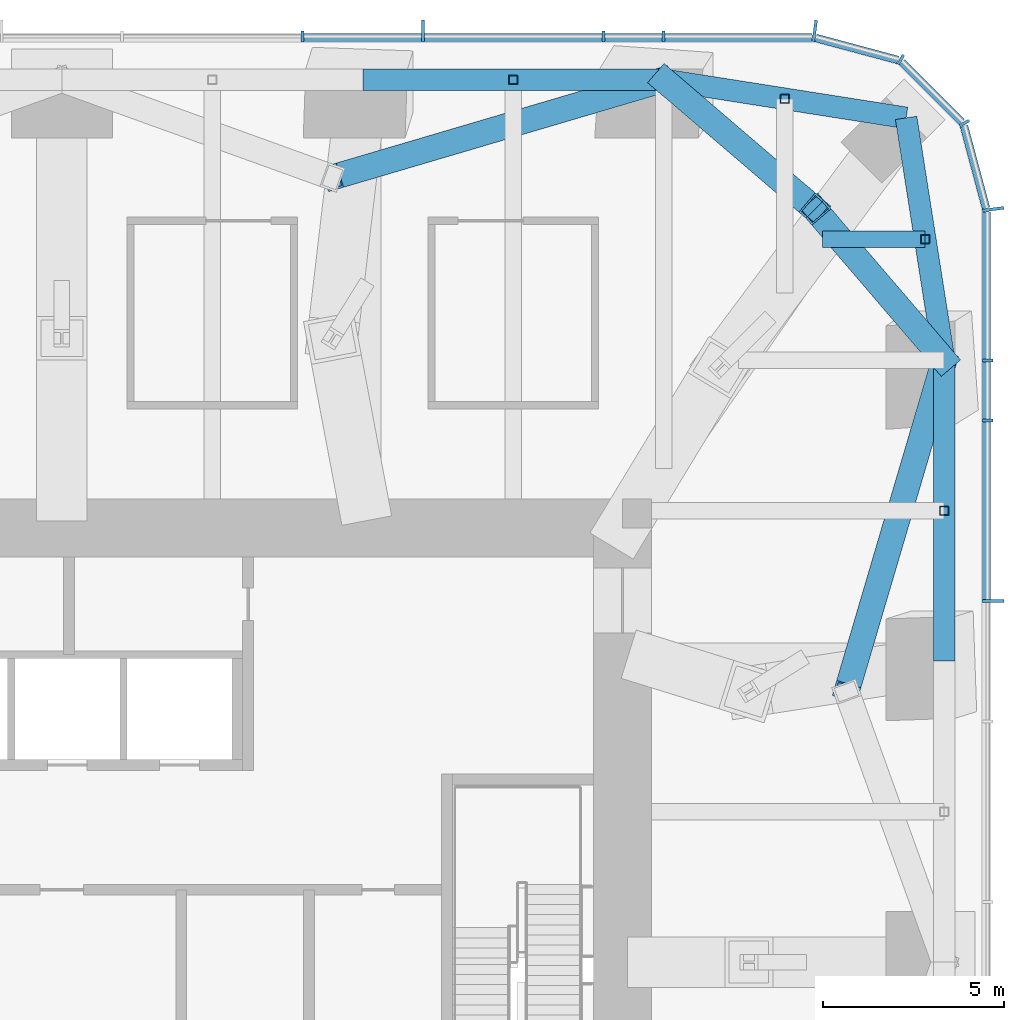
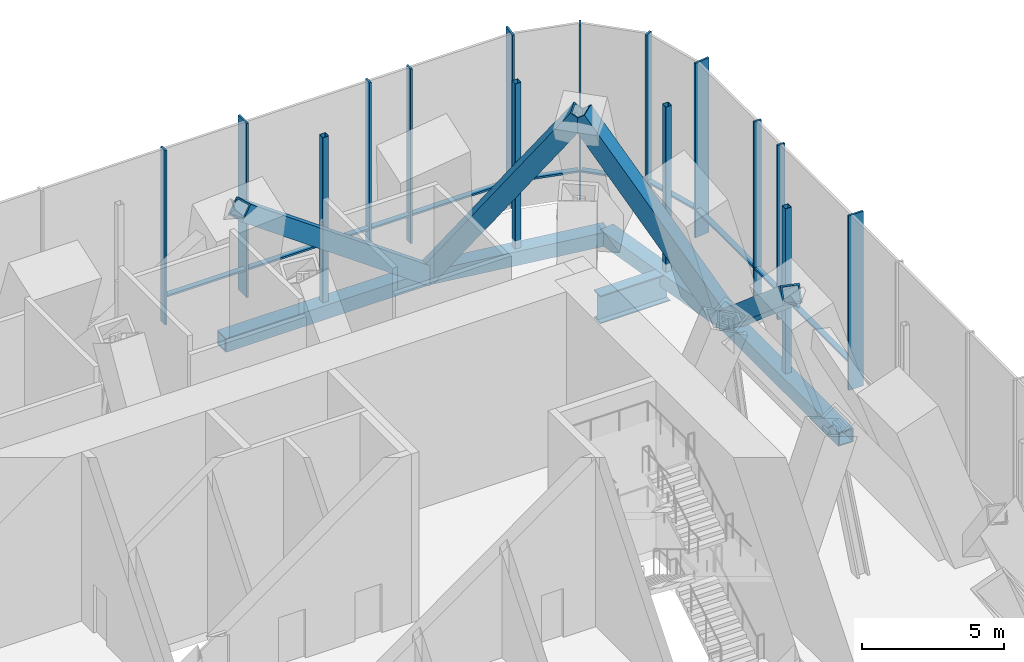
# One storey, part 9 of 16: 33 members, 1 beam, 3 elements without a shape of their own.
"""IFC4 building model written with IfcOpenShell, lengths in metres."""

from ifc_helpers import new_model, si_unit, direction, frame, origin, origin_2d, place, context, subcontext, project, spatial, rectangle, hollow_rectangle, i_section, extrude, material, material_profile, profile_set, type_object, element, aggregate, save


model = new_model("IFC4")

# Units and contexts
model_context = context("Model", 3, precision=1e-05, world=origin(), true_north=direction((0.0, 1.0)))
body_context = subcontext(model_context, "Body", "Model", "MODEL_VIEW")
ifc_project = project(units=[si_unit("LENGTHUNIT", "METRE"), si_unit("AREAUNIT", "SQUARE_METRE"), si_unit("VOLUMEUNIT", "CUBIC_METRE"), si_unit("PLANEANGLEUNIT", "RADIAN"), si_unit("MASSUNIT", "GRAM", prefix="KILO")], contexts=[model_context])

# Site, building, storey
site_placement = place(None, origin())
site = spatial("IfcSite", under=ifc_project, at=site_placement, CompositionType="ELEMENT")
building_placement = place(site_placement, origin())
building = spatial("IfcBuilding", under=site, at=building_placement, Name="Khuree Lantern Residences", CompositionType="ELEMENT")
storey_placement = place(building_placement, frame((0.0, 0.0, 278.25)))
storey = spatial("IfcBuildingStorey", under=building, at=storey_placement, Name="L70", CompositionType="ELEMENT", Elevation=278.25)

# Beam
ifc_material_1 = material(Name="Steel S355", Category="steel")
ifc_material_profile_1 = material_profile(ifc_material_1, i_section(OverallWidth=0.449951171875, OverallDepth=1.199951171875, WebThickness=0.02490234375, FlangeThickness=0.044921875, at=origin_2d()), Name="WELDED I 1200X450X25X45")
ifc_profile_set_1 = profile_set([ifc_material_profile_1], Name="Steel S355")
beam_type = type_object("IfcBeamType", Name="B-70 SECONDARY BEAM WELDED I 1200X450X25X45", PredefinedType="BEAM", material=ifc_profile_set_1)
beam_placement = place(storey_placement, frame((23.872802734375, 19.992919921875, -0.949951171875), z_axis=(-1.0, 0.0, 0.0), x_axis=(0.0, -1.0, 0.0)))
element("IfcBeam", 1, at=beam_placement, inside=storey, type_object=beam_type, Name="Secondary beam E1", PredefinedType="BEAM", context=body_context, shape_type="SweptSolid", body=[
    extrude(i_section(OverallWidth=0.449951171875, OverallDepth=1.199951171875, WebThickness=0.02490234375, FlangeThickness=0.044921875, at=origin_2d()), origin(), (0.0, 0.0, 1.0), 2.845703125),
])

# Members
ifc_material_profile_2 = material_profile(ifc_material_1, hollow_rectangle(XDim=0.699951171875, YDim=0.699951171875, WallThickness=0.06005859375, at=origin_2d()), Name="WELDED BOX 700X700X60")
ifc_profile_set_2 = profile_set([ifc_material_profile_2], Name="Steel S355")
member_type_1 = type_object("IfcMemberType", Name="BD-70 BELT TRUSS DIAGONAL WELDED BOX 700X700X60", PredefinedType="BRACE", material=ifc_profile_set_2)
member_1_placement = place(storey_placement, frame((7.47998046875, 21.699951171875, 6.949951171875), z_axis=(0.750531400006, 0.22122462626, -0.622705614509), x_axis=(-0.282731000098, 0.959199239774, 0.0)))
element("IfcMember", 2, at=member_1_placement, inside=storey, type_object=member_type_1, Name="Belt truss diagonal N4", PredefinedType="BRACE", context=body_context, shape_type="SweptSolid", body=[
    extrude(hollow_rectangle(XDim=0.699951171875, YDim=0.699951171875, WallThickness=0.06005859375, at=origin_2d()), origin(), (0.0, 0.0, 1.0), 12.20458984375),
])
for number, where, z_axis, x_axis, name in (
    (3, (16.639892578125, 24.39990234375, -0.64990234375), (0.445616030169, -0.381376760099, 0.809924762254), (0.650221301247, 0.759744864678, 0.0), "Belt truss diagonal N5"),
    (4, (20.8212890625, 20.8212890625, 6.949951171875), (0.381376760099, -0.445616030169, -0.809924762254), (0.759744864678, 0.650221301247, 0.0), "Belt truss diagonal E1"),
):
    element("IfcMember", number, at=place(storey_placement, frame(where, z_axis=z_axis, x_axis=x_axis)), inside=storey, type_object=member_type_1, Name=name, PredefinedType="BRACE", context=body_context, shape_type="SweptSolid", body=[
        extrude(hollow_rectangle(XDim=0.699951171875, YDim=0.699951171875, WallThickness=0.06005859375, at=origin_2d()), origin(), (0.0, 0.0, 1.0), 9.38330078125),
    ])
member_2_placement = place(storey_placement, frame((24.39990234375, 16.639892578125, -0.64990234375), z_axis=(-0.22122462626, -0.750531400006, 0.622705614509), x_axis=(0.959199239774, -0.282731000098, 0.0)))
element("IfcMember", 5, at=member_2_placement, inside=storey, type_object=member_type_1, Name="Belt truss diagonal E2", PredefinedType="BRACE", context=body_context, shape_type="SweptSolid", body=[
    extrude(hollow_rectangle(XDim=0.699951171875, YDim=0.699951171875, WallThickness=0.06005859375, at=origin_2d()), origin(), (0.0, 0.0, 1.0), 12.20458984375),
])
ifc_material_profile_3 = material_profile(ifc_material_1, hollow_rectangle(XDim=0.60009765625, YDim=0.60009765625, WallThickness=0.050048828125, at=origin_2d()), Name="WELDED BOX 600X600X50")
ifc_profile_set_3 = profile_set([ifc_material_profile_3], Name="Steel S355")
member_type_2 = type_object("IfcMemberType", Name="BT-70 BELT TRUSS CHORD WELDED BOX 600X600X50", PredefinedType="CHORD", material=ifc_profile_set_3)
member_3_placement = place(storey_placement, frame((8.320068359375, 24.39990234375, -0.64990234375), z_axis=(1.0, 0.0, 0.0), x_axis=(0.0, 1.0, 0.0)))
element("IfcMember", 6, at=member_3_placement, inside=storey, type_object=member_type_2, Name="Belt truss chord N4", PredefinedType="CHORD", context=body_context, shape_type="SweptSolid", body=[
    extrude(hollow_rectangle(XDim=0.60009765625, YDim=0.60009765625, WallThickness=0.050048828125, at=origin_2d()), origin(), (0.0, 0.0, 1.0), 8.31982421875),
])
for number, where, z_axis, x_axis, name in (
    (7, (16.639892578125, 24.39990234375, -0.64990234375), (0.98786743189, -0.155299507442, 0.0), (0.155299507442, 0.98786743189, 0.0), "Belt truss chord N5"),
    (8, (23.345703125, 23.345703125, -0.64990234375), (0.155299507442, -0.98786743189, 0.0), (0.98786743189, 0.155299507442, 0.0), "Belt truss chord E1"),
):
    element("IfcMember", number, at=place(storey_placement, frame(where, z_axis=z_axis, x_axis=x_axis)), inside=storey, type_object=member_type_2, Name=name, PredefinedType="CHORD", context=body_context, shape_type="SweptSolid", body=[
        extrude(hollow_rectangle(XDim=0.60009765625, YDim=0.60009765625, WallThickness=0.050048828125, at=origin_2d()), origin(), (0.0, 0.0, 1.0), 6.7880859375),
    ])
member_4_placement = place(storey_placement, frame((24.39990234375, 16.639892578125, -0.64990234375), z_axis=(0.0, -1.0, 0.0), x_axis=(1.0, 0.0, 0.0)))
element("IfcMember", 9, at=member_4_placement, inside=storey, type_object=member_type_2, Name="Belt truss chord E2", PredefinedType="CHORD", context=body_context, shape_type="SweptSolid", body=[
    extrude(hollow_rectangle(XDim=0.60009765625, YDim=0.60009765625, WallThickness=0.050048828125, at=origin_2d()), origin(), (0.0, 0.0, 1.0), 8.31982421875),
])

# Curtain wall, member
ifc_material_2 = material(Name="Bronze anodised aluminium", Category="aluminium")
curtain_wall_type = type_object("IfcCurtainWallType", Name="CW-G PLANT STOREY LOUVRED CURTAIN WALL", PredefinedType="USERDEFINED", material=ifc_material_2)
curtain_wall_1_placement = place(storey_placement, origin())
curtain_wall_1 = element("IfcCurtainWall", 10, at=curtain_wall_1_placement, inside=storey, type_object=curtain_wall_type, Name="L70 EAST FACE CURTAIN WALL", ObjectType="Louvred curtain wall", PredefinedType="USERDEFINED")
ifc_material_profile_4 = material_profile(ifc_material_2, rectangle(XDim=0.080078125, YDim=0.60009765625, at=origin_2d()), Name="F2 80X600")
ifc_profile_set_4 = profile_set([ifc_material_profile_4], Name="Bronze anodised aluminium")
member_type_3 = type_object("IfcMemberType", Name="F2 BRONZE FIN MULLION PLANT 80X600", PredefinedType="MULLION", material=ifc_profile_set_4)
member_5_placement = place(storey_placement, frame((25.75, 9.98388671875, 0.0), z_axis=(0.0, 0.0, 1.0), x_axis=(0.0, 1.0, 0.0)))
member_5 = element("IfcMember", 11, at=member_5_placement, type_object=member_type_3, Name="L70 EAST FACE FIN MULLION 12", PredefinedType="MULLION", context=body_context, shape_type="SweptSolid", body=[
    extrude(rectangle(XDim=0.080078125, YDim=0.60009765625, at=origin_2d()), origin(), (0.0, 0.0, 1.0), 7.5),
])

curtain_wall_2_placement = place(storey_placement, origin())
curtain_wall_2 = element("IfcCurtainWall", 12, at=curtain_wall_2_placement, inside=storey, type_object=curtain_wall_type, Name="L70 NORTH-EAST CORNER CURTAIN WALL", ObjectType="Louvred curtain wall", PredefinedType="USERDEFINED")
member_6_placement = place(storey_placement, frame((25.75, 20.81982421875, 0.0), z_axis=(0.0, 0.0, 1.0), x_axis=(-0.130526180298, 0.991444862943, 0.0)))
member_6 = element("IfcMember", 13, at=member_6_placement, type_object=member_type_3, Name="L70 NORTH-EAST CORNER FIN MULLION 15", PredefinedType="MULLION", context=body_context, shape_type="SweptSolid", body=[
    extrude(rectangle(XDim=0.080078125, YDim=0.60009765625, at=origin_2d()), origin(), (0.0, 0.0, 1.0), 7.5),
])

# Curtain wall, members
curtain_wall_3_placement = place(storey_placement, origin())
curtain_wall_3 = element("IfcCurtainWall", 14, at=curtain_wall_3_placement, inside=storey, type_object=curtain_wall_type, Name="L70 NORTH FACE CURTAIN WALL", ObjectType="Louvred curtain wall", PredefinedType="USERDEFINED")
member_7_placement = place(storey_placement, frame((20.81982421875, 25.75, 0.0), z_axis=(0.0, 0.0, 1.0), x_axis=(-0.991444862943, 0.130526180298, 0.0)))
member_7 = element("IfcMember", 15, at=member_7_placement, type_object=member_type_3, Name="L70 NORTH FACE FIN MULLION 18", PredefinedType="MULLION", context=body_context, shape_type="SweptSolid", body=[
    extrude(rectangle(XDim=0.080078125, YDim=0.60009765625, at=origin_2d()), origin(), (0.0, 0.0, 1.0), 7.5),
])
member_8_placement = place(storey_placement, frame((9.98388671875, 25.75, 0.0), z_axis=(0.0, 0.0, 1.0), x_axis=(-1.0, 0.0, 0.0)))
member_8 = element("IfcMember", 16, at=member_8_placement, type_object=member_type_3, Name="L70 NORTH FACE FIN MULLION 21", PredefinedType="MULLION", context=body_context, shape_type="SweptSolid", body=[
    extrude(rectangle(XDim=0.080078125, YDim=0.60009765625, at=origin_2d()), origin(), (0.0, 0.0, 1.0), 7.5),
])

# Member
ifc_material_profile_5 = material_profile(ifc_material_2, rectangle(XDim=0.080078125, YDim=0.300048828125, at=origin_2d()), Name="M2 80X300")
ifc_profile_set_5 = profile_set([ifc_material_profile_5], Name="Bronze anodised aluminium")
member_type_4 = type_object("IfcMemberType", Name="MULLION M2 PLANT 80X300", PredefinedType="MULLION", material=ifc_profile_set_5)
member_9_placement = place(storey_placement, frame((25.60009765625, 14.97607421875, 0.0), z_axis=(0.0, 0.0, 1.0), x_axis=(0.0, 1.0, 0.0)))
member_9 = element("IfcMember", 17, at=member_9_placement, type_object=member_type_4, Name="L70 EAST FACE MULLION 13", PredefinedType="MULLION", context=body_context, shape_type="SweptSolid", body=[
    extrude(rectangle(XDim=0.080078125, YDim=0.300048828125, at=origin_2d()), origin(), (0.0, 0.0, 1.0), 7.5),
])

member_10_placement = place(storey_placement, frame((25.60009765625, 16.639892578125, 0.0), z_axis=(0.0, 0.0, 1.0), x_axis=(0.0, 1.0, 0.0)))
member_10 = element("IfcMember", 18, at=member_10_placement, type_object=member_type_4, Name="L70 EAST FACE MULLION 14", PredefinedType="MULLION", context=body_context, shape_type="SweptSolid", body=[
    extrude(rectangle(XDim=0.080078125, YDim=0.300048828125, at=origin_2d()), origin(), (0.0, 0.0, 1.0), 7.5),
])

member_11_placement = place(storey_placement, frame((24.95703125, 23.199951171875, 0.0), z_axis=(0.0, 0.0, 1.0), x_axis=(-0.499999989586, 0.866025409797, 0.0)))
member_11 = element("IfcMember", 19, at=member_11_placement, type_object=member_type_4, Name="L70 NORTH-EAST CORNER MULLION 16", PredefinedType="MULLION", context=body_context, shape_type="SweptSolid", body=[
    extrude(rectangle(XDim=0.080078125, YDim=0.300048828125, at=origin_2d()), origin(), (0.0, 0.0, 1.0), 7.5),
])

member_12_placement = place(storey_placement, frame((23.199951171875, 24.95703125, 0.0), z_axis=(0.0, 0.0, 1.0), x_axis=(-0.866025409797, 0.499999989586, 0.0)))
member_12 = element("IfcMember", 20, at=member_12_placement, type_object=member_type_4, Name="L70 NORTH-EAST CORNER MULLION 17", PredefinedType="MULLION", context=body_context, shape_type="SweptSolid", body=[
    extrude(rectangle(XDim=0.080078125, YDim=0.300048828125, at=origin_2d()), origin(), (0.0, 0.0, 1.0), 7.5),
])

member_13_placement = place(storey_placement, frame((16.639892578125, 25.60009765625, 0.0), z_axis=(0.0, 0.0, 1.0), x_axis=(-1.0, 0.0, 0.0)))
member_13 = element("IfcMember", 21, at=member_13_placement, type_object=member_type_4, Name="L70 NORTH FACE MULLION 19", PredefinedType="MULLION", context=body_context, shape_type="SweptSolid", body=[
    extrude(rectangle(XDim=0.080078125, YDim=0.300048828125, at=origin_2d()), origin(), (0.0, 0.0, 1.0), 7.5),
])

member_14_placement = place(storey_placement, frame((14.97607421875, 25.60009765625, 0.0), z_axis=(0.0, 0.0, 1.0), x_axis=(-1.0, 0.0, 0.0)))
member_14 = element("IfcMember", 22, at=member_14_placement, type_object=member_type_4, Name="L70 NORTH FACE MULLION 20", PredefinedType="MULLION", context=body_context, shape_type="SweptSolid", body=[
    extrude(rectangle(XDim=0.080078125, YDim=0.300048828125, at=origin_2d()), origin(), (0.0, 0.0, 1.0), 7.5),
])

member_15_placement = place(storey_placement, frame((6.656005859375, 25.60009765625, 0.0), z_axis=(0.0, 0.0, 1.0), x_axis=(-1.0, 0.0, 0.0)))
member_15 = element("IfcMember", 23, at=member_15_placement, type_object=member_type_4, Name="L70 NORTH FACE MULLION 22", PredefinedType="MULLION", context=body_context, shape_type="SweptSolid", body=[
    extrude(rectangle(XDim=0.080078125, YDim=0.300048828125, at=origin_2d()), origin(), (0.0, 0.0, 1.0), 7.5),
])

# Members
ifc_material_profile_6 = material_profile(ifc_material_1, hollow_rectangle(XDim=0.25, YDim=0.25, WallThickness=0.012451171875, InnerFilletRadius=0.012451171875, OuterFilletRadius=0.018798828125, at=origin_2d()), Name="SHS 250X250X12.5")
ifc_profile_set_6 = profile_set([ifc_material_profile_6], Name="Steel S355")
member_type_5 = type_object("IfcMemberType", Name="TP1 TERRACE POST SHS 250X250X12.5", PredefinedType="POST", material=ifc_profile_set_6)
for number, where, z_axis, x_axis, name in (
    (24, (12.47998046875, 24.39990234375, -0.35009765625), (0.0, 0.0, 1.0), (1.0, 0.0, 0.0), "Terrace post N4"),
    (25, (19.992919921875, 23.872802734375, -0.35009765625), (0.0, 0.0, 1.0), (1.0, 0.0, 0.0), "Terrace post N5"),
    (26, (23.872802734375, 19.992919921875, -0.35009765625), (0.0, 0.0, 1.0), (1.0, 0.0, 0.0), "Terrace post E1"),
    (27, (24.39990234375, 12.47998046875, -0.35009765625), (0.0, 0.0, 1.0), (1.0, 0.0, 0.0), "Terrace post E2"),
):
    element("IfcMember", number, at=place(storey_placement, frame(where, z_axis=z_axis, x_axis=x_axis)), inside=storey, type_object=member_type_5, Name=name, PredefinedType="POST", context=body_context, shape_type="SweptSolid", body=[
        extrude(hollow_rectangle(XDim=0.25, YDim=0.25, WallThickness=0.012451171875, InnerFilletRadius=0.012451171875, OuterFilletRadius=0.018798828125, at=origin_2d()), origin(), (0.0, 0.0, 1.0), 7.10009765625),
    ])

# Member
ifc_material_profile_7 = material_profile(ifc_material_2, rectangle(XDim=0.219970703125, YDim=0.080078125, at=origin_2d()), Name="T2 220X80")
ifc_profile_set_7 = profile_set([ifc_material_profile_7], Name="Bronze anodised aluminium")
member_type_6 = type_object("IfcMemberType", Name="TRANSOM T2 PLANT 220X80", PredefinedType="USERDEFINED", material=ifc_profile_set_7)
member_16_placement = place(storey_placement, frame((25.570068359375, 10.02392578125, 1.199951171875), z_axis=(0.0, 1.0, 0.0), x_axis=(-1.0, 0.0, 0.0)))
member_16 = element("IfcMember", 28, at=member_16_placement, type_object=member_type_6, Name="L70 EAST FACE TRANSOM 12.1", ObjectType="Transom", PredefinedType="USERDEFINED", context=body_context, shape_type="SweptSolid", body=[
    extrude(rectangle(XDim=0.219970703125, YDim=0.080078125, at=origin_2d()), origin(), (0.0, 0.0, 1.0), 4.912109375),
])

member_17_placement = place(storey_placement, frame((25.570068359375, 15.01611328125, 1.199951171875), z_axis=(0.0, 1.0, 0.0), x_axis=(-1.0, 0.0, 0.0)))
member_17 = element("IfcMember", 29, at=member_17_placement, type_object=member_type_6, Name="L70 EAST FACE TRANSOM 13.1", ObjectType="Transom", PredefinedType="USERDEFINED", context=body_context, shape_type="SweptSolid", body=[
    extrude(rectangle(XDim=0.219970703125, YDim=0.080078125, at=origin_2d()), origin(), (0.0, 0.0, 1.0), 1.583984375),
])

member_18_placement = place(storey_placement, frame((25.570068359375, 16.679931640625, 1.199951171875), z_axis=(0.0, 1.0, 0.0), x_axis=(-1.0, 0.0, 0.0)))
member_18 = element("IfcMember", 30, at=member_18_placement, type_object=member_type_6, Name="L70 EAST FACE TRANSOM 14.1", ObjectType="Transom", PredefinedType="USERDEFINED", context=body_context, shape_type="SweptSolid", body=[
    extrude(rectangle(XDim=0.219970703125, YDim=0.080078125, at=origin_2d()), origin(), (0.0, 0.0, 1.0), 4.061279296875),
])

aggregate(curtain_wall_1, [member_5, member_9, member_10, member_16, member_17, member_18])

member_19_placement = place(storey_placement, frame((25.555908203125, 20.84912109375, 1.199951171875), z_axis=(-0.258865997029, 0.965913244335, 0.0), x_axis=(-0.965913244335, -0.258865997029, 0.0)))
member_19 = element("IfcMember", 31, at=member_19_placement, type_object=member_type_6, Name="L70 NORTH-EAST CORNER TRANSOM 15.1", ObjectType="Transom", PredefinedType="USERDEFINED", context=body_context, shape_type="SweptSolid", body=[
    extrude(rectangle(XDim=0.219970703125, YDim=0.080078125, at=origin_2d()), origin(), (0.0, 0.0, 1.0), 2.348388671875),
])

member_20_placement = place(storey_placement, frame((24.880859375, 23.233642578125, 1.199951171875), z_axis=(-0.707106781187, 0.707106781187, 0.0), x_axis=(-0.707106781187, -0.707106781187, 0.0)))
member_20 = element("IfcMember", 32, at=member_20_placement, type_object=member_type_6, Name="L70 NORTH-EAST CORNER TRANSOM 16.1", ObjectType="Transom", PredefinedType="USERDEFINED", context=body_context, shape_type="SweptSolid", body=[
    extrude(rectangle(XDim=0.219970703125, YDim=0.080078125, at=origin_2d()), origin(), (0.0, 0.0, 1.0), 2.32958984375),
])

member_21_placement = place(storey_placement, frame((23.117431640625, 24.947998046875, 1.199951171875), z_axis=(-0.965913244335, 0.258865997029, 0.0), x_axis=(-0.258865997029, -0.965913244335, 0.0)))
member_21 = element("IfcMember", 33, at=member_21_placement, type_object=member_type_6, Name="L70 NORTH-EAST CORNER TRANSOM 17.1", ObjectType="Transom", PredefinedType="USERDEFINED", context=body_context, shape_type="SweptSolid", body=[
    extrude(rectangle(XDim=0.219970703125, YDim=0.080078125, at=origin_2d()), origin(), (0.0, 0.0, 1.0), 2.348388671875),
])

aggregate(curtain_wall_2, [member_6, member_11, member_12, member_19, member_20, member_21])

member_22_placement = place(storey_placement, frame((20.7412109375, 25.570068359375, 1.199951171875), z_axis=(-1.0, 0.0, 0.0), x_axis=(0.0, -1.0, 0.0)))
member_22 = element("IfcMember", 34, at=member_22_placement, type_object=member_type_6, Name="L70 NORTH FACE TRANSOM 18.1", ObjectType="Transom", PredefinedType="USERDEFINED", context=body_context, shape_type="SweptSolid", body=[
    extrude(rectangle(XDim=0.219970703125, YDim=0.080078125, at=origin_2d()), origin(), (0.0, 0.0, 1.0), 4.061279296875),
])

member_23_placement = place(storey_placement, frame((16.60009765625, 25.570068359375, 1.199951171875), z_axis=(-1.0, 0.0, 0.0), x_axis=(0.0, -1.0, 0.0)))
member_23 = element("IfcMember", 35, at=member_23_placement, type_object=member_type_6, Name="L70 NORTH FACE TRANSOM 19.1", ObjectType="Transom", PredefinedType="USERDEFINED", context=body_context, shape_type="SweptSolid", body=[
    extrude(rectangle(XDim=0.219970703125, YDim=0.080078125, at=origin_2d()), origin(), (0.0, 0.0, 1.0), 1.583984375),
])

member_24_placement = place(storey_placement, frame((14.93603515625, 25.570068359375, 1.199951171875), z_axis=(-1.0, 0.0, 0.0), x_axis=(0.0, -1.0, 0.0)))
member_24 = element("IfcMember", 36, at=member_24_placement, type_object=member_type_6, Name="L70 NORTH FACE TRANSOM 20.1", ObjectType="Transom", PredefinedType="USERDEFINED", context=body_context, shape_type="SweptSolid", body=[
    extrude(rectangle(XDim=0.219970703125, YDim=0.080078125, at=origin_2d()), origin(), (0.0, 0.0, 1.0), 4.912109375),
])

member_25_placement = place(storey_placement, frame((9.944091796875, 25.570068359375, 1.199951171875), z_axis=(-1.0, 0.0, 0.0), x_axis=(0.0, -1.0, 0.0)))
member_25 = element("IfcMember", 37, at=member_25_placement, type_object=member_type_6, Name="L70 NORTH FACE TRANSOM 21.1", ObjectType="Transom", PredefinedType="USERDEFINED", context=body_context, shape_type="SweptSolid", body=[
    extrude(rectangle(XDim=0.219970703125, YDim=0.080078125, at=origin_2d()), origin(), (0.0, 0.0, 1.0), 3.248046875),
])

aggregate(curtain_wall_3, [member_7, member_13, member_14, member_8, member_15, member_22, member_23, member_24, member_25])

save(model, "model.ifc")
